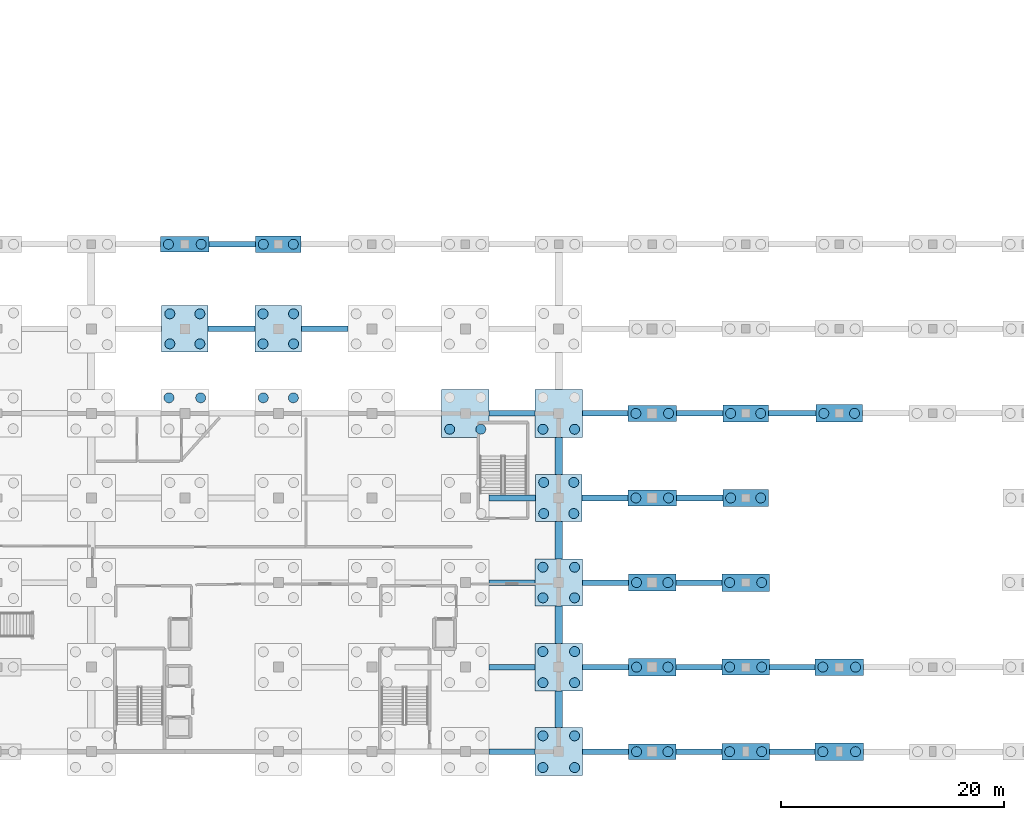
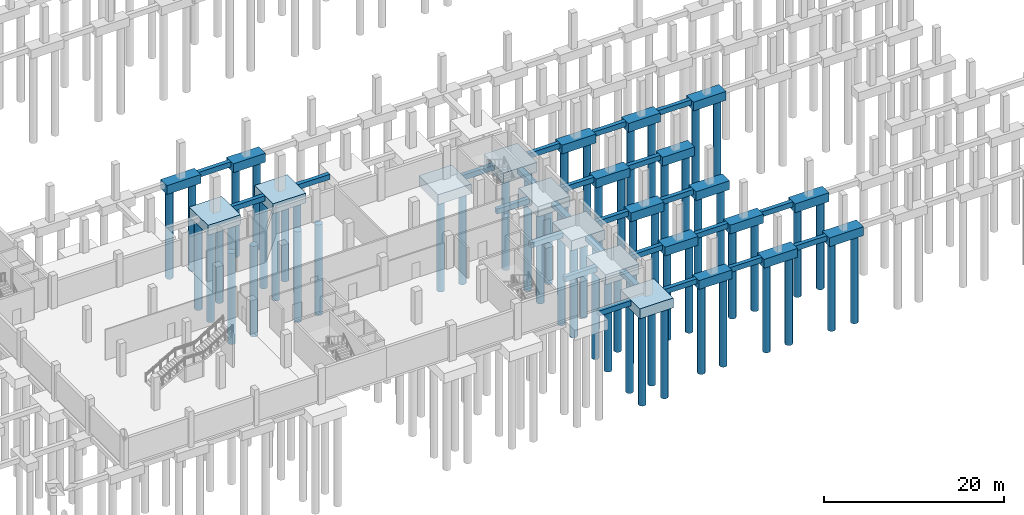
# One storey, part 4 of 22: 62 piles, 48 footings.
"""IFC4 building model written with IfcOpenShell, lengths in metres."""

from ifc_helpers import new_model, si_unit, direction, frame, origin, origin_2d, place, context, subcontext, project, spatial, rectangle, circle, extrude, material, material_profile, profile_set, type_object, element, save


model = new_model("IFC4")

# Units and contexts
model_context = context("Model", 3, precision=1e-05, world=origin(), true_north=direction((0.0, 1.0)))
body_context = subcontext(model_context, "Body", "Model", "MODEL_VIEW")
ifc_project = project(units=[si_unit("LENGTHUNIT", "METRE"), si_unit("AREAUNIT", "SQUARE_METRE"), si_unit("VOLUMEUNIT", "CUBIC_METRE"), si_unit("PLANEANGLEUNIT", "RADIAN"), si_unit("MASSUNIT", "GRAM", prefix="KILO")], contexts=[model_context])

# Site, building, storey
site_placement = place(None, origin())
site = spatial("IfcSite", under=ifc_project, at=site_placement, CompositionType="ELEMENT")
building_placement = place(site_placement, origin())
building = spatial("IfcBuilding", under=site, at=building_placement, Name="Zuvorla Pavilion Media Centre", CompositionType="ELEMENT")
storey_placement = place(building_placement, frame((0.0, 0.0, -4.5)))
storey = spatial("IfcBuildingStorey", under=building, at=storey_placement, Name="B01", CompositionType="ELEMENT", Elevation=-4.5)

# Footings
ifc_material = material(Name="Concrete C40/50", Category="concrete")
footing_type_1 = type_object("IfcFootingType", Name="FT-GB56", PredefinedType="FOOTING_BEAM", material=ifc_material)
footing_1_placement = place(storey_placement, frame((104.58740234375, 6.0, -1.10009765625), z_axis=(0.0, 0.0, 1.0), x_axis=(1.0, 0.0, 0.0)))
element("IfcFooting", 1, at=footing_1_placement, inside=storey, type_object=footing_type_1, Name="Ground beam GB56 10", PredefinedType="FOOTING_BEAM", context=body_context, shape_type="SweptSolid", body=[
    extrude(rectangle(XDim=4.114990234375, YDim=0.5, at=origin_2d()), origin(), (0.0, 0.0, 1.0), 0.699951171875),
])
footing_2_placement = place(storey_placement, frame((113.017578125, 6.0, -1.10009765625), z_axis=(0.0, 0.0, 1.0), x_axis=(1.0, 0.0, 0.0)))
element("IfcFooting", 2, at=footing_2_placement, inside=storey, type_object=footing_type_1, Name="Ground beam GB56 11", PredefinedType="FOOTING_BEAM", context=body_context, shape_type="SweptSolid", body=[
    extrude(rectangle(XDim=4.125, YDim=0.5, at=origin_2d()), origin(), (0.0, 0.0, 1.0), 0.699951171875),
])
footing_3_placement = place(storey_placement, frame((121.385009765625, 6.0, -1.10009765625), z_axis=(0.0, 0.0, 1.0), x_axis=(1.0, 0.0, 0.0)))
element("IfcFooting", 3, at=footing_3_placement, inside=storey, type_object=footing_type_1, Name="Ground beam GB56 12", PredefinedType="FOOTING_BEAM", context=body_context, shape_type="SweptSolid", body=[
    extrude(rectangle(XDim=4.1298828125, YDim=0.5, at=origin_2d()), origin(), (0.0, 0.0, 1.0), 0.699951171875),
])
footing_4_placement = place(storey_placement, frame((129.784912109375, 6.0, -1.10009765625), z_axis=(0.0, 0.0, 1.0), x_axis=(1.0, 0.0, 0.0)))
element("IfcFooting", 4, at=footing_4_placement, inside=storey, type_object=footing_type_1, Name="Ground beam GB56 13", PredefinedType="FOOTING_BEAM", context=body_context, shape_type="SweptSolid", body=[
    extrude(rectangle(XDim=4.070068359375, YDim=0.5, at=origin_2d()), origin(), (0.0, 0.0, 1.0), 0.699951171875),
])
footing_5_placement = place(storey_placement, frame((104.58740234375, 13.60009765625, -1.10009765625), z_axis=(0.0, 0.0, 1.0), x_axis=(1.0, 0.0, 0.0)))
element("IfcFooting", 5, at=footing_5_placement, inside=storey, type_object=footing_type_1, Name="Ground beam GB56 28", PredefinedType="FOOTING_BEAM", context=body_context, shape_type="SweptSolid", body=[
    extrude(rectangle(XDim=4.114990234375, YDim=0.5, at=origin_2d()), origin(), (0.0, 0.0, 1.0), 0.699951171875),
])
footing_6_placement = place(storey_placement, frame((113.017578125, 13.60009765625, -1.10009765625), z_axis=(0.0, 0.0, 1.0), x_axis=(1.0, 0.0, 0.0)))
element("IfcFooting", 6, at=footing_6_placement, inside=storey, type_object=footing_type_1, Name="Ground beam GB56 29", PredefinedType="FOOTING_BEAM", context=body_context, shape_type="SweptSolid", body=[
    extrude(rectangle(XDim=4.125, YDim=0.5, at=origin_2d()), origin(), (0.0, 0.0, 1.0), 0.699951171875),
])
footing_7_placement = place(storey_placement, frame((121.385009765625, 13.60009765625, -1.10009765625), z_axis=(0.0, 0.0, 1.0), x_axis=(1.0, 0.0, 0.0)))
element("IfcFooting", 7, at=footing_7_placement, inside=storey, type_object=footing_type_1, Name="Ground beam GB56 30", PredefinedType="FOOTING_BEAM", context=body_context, shape_type="SweptSolid", body=[
    extrude(rectangle(XDim=4.1298828125, YDim=0.5, at=origin_2d()), origin(), (0.0, 0.0, 1.0), 0.699951171875),
])
footing_8_placement = place(storey_placement, frame((129.784912109375, 13.60009765625, -1.10009765625), z_axis=(0.0, 0.0, 1.0), x_axis=(1.0, 0.0, 0.0)))
element("IfcFooting", 8, at=footing_8_placement, inside=storey, type_object=footing_type_1, Name="Ground beam GB56 31", PredefinedType="FOOTING_BEAM", context=body_context, shape_type="SweptSolid", body=[
    extrude(rectangle(XDim=4.070068359375, YDim=0.5, at=origin_2d()), origin(), (0.0, 0.0, 1.0), 0.699951171875),
])
footing_9_placement = place(storey_placement, frame((104.58740234375, 21.199951171875, -1.10009765625), z_axis=(0.0, 0.0, 1.0), x_axis=(1.0, 0.0, 0.0)))
element("IfcFooting", 9, at=footing_9_placement, inside=storey, type_object=footing_type_1, Name="Ground beam GB56 46", PredefinedType="FOOTING_BEAM", context=body_context, shape_type="SweptSolid", body=[
    extrude(rectangle(XDim=4.114990234375, YDim=0.5, at=origin_2d()), origin(), (0.0, 0.0, 1.0), 0.699951171875),
])
footing_10_placement = place(storey_placement, frame((113.017578125, 21.199951171875, -1.10009765625), z_axis=(0.0, 0.0, 1.0), x_axis=(1.0, 0.0, 0.0)))
element("IfcFooting", 10, at=footing_10_placement, inside=storey, type_object=footing_type_1, Name="Ground beam GB56 47", PredefinedType="FOOTING_BEAM", context=body_context, shape_type="SweptSolid", body=[
    extrude(rectangle(XDim=4.125, YDim=0.5, at=origin_2d()), origin(), (0.0, 0.0, 1.0), 0.699951171875),
])
footing_11_placement = place(storey_placement, frame((121.385009765625, 21.199951171875, -1.10009765625), z_axis=(0.0, 0.0, 1.0), x_axis=(1.0, 0.0, 0.0)))
element("IfcFooting", 11, at=footing_11_placement, inside=storey, type_object=footing_type_1, Name="Ground beam GB56 48", PredefinedType="FOOTING_BEAM", context=body_context, shape_type="SweptSolid", body=[
    extrude(rectangle(XDim=4.1298828125, YDim=0.5, at=origin_2d()), origin(), (0.0, 0.0, 1.0), 0.699951171875),
])
footing_12_placement = place(storey_placement, frame((104.637451171875, 28.800048828125, -1.10009765625), z_axis=(0.0, 0.0, 1.0), x_axis=(1.0, 0.0, 0.0)))
element("IfcFooting", 12, at=footing_12_placement, inside=storey, type_object=footing_type_1, Name="Ground beam GB56 61", PredefinedType="FOOTING_BEAM", context=body_context, shape_type="SweptSolid", body=[
    extrude(rectangle(XDim=4.1650390625, YDim=0.5, at=origin_2d()), origin(), (0.0, 0.0, 1.0), 0.699951171875),
])
footing_13_placement = place(storey_placement, frame((112.949951171875, 28.800048828125, -1.10009765625), z_axis=(0.0, 0.0, 1.0), x_axis=(1.0, 0.0, 0.0)))
element("IfcFooting", 13, at=footing_13_placement, inside=storey, type_object=footing_type_1, Name="Ground beam GB56 62", PredefinedType="FOOTING_BEAM", context=body_context, shape_type="SweptSolid", body=[
    extrude(rectangle(XDim=4.139892578125, YDim=0.5, at=origin_2d()), origin(), (0.0, 0.0, 1.0), 0.699951171875),
])
footing_14_placement = place(storey_placement, frame((121.4599609375, 28.800048828125, -1.10009765625), z_axis=(0.0, 0.0, 1.0), x_axis=(1.0, 0.0, 0.0)))
element("IfcFooting", 14, at=footing_14_placement, inside=storey, type_object=footing_type_1, Name="Ground beam GB56 63", PredefinedType="FOOTING_BEAM", context=body_context, shape_type="SweptSolid", body=[
    extrude(rectangle(XDim=4.159912109375, YDim=0.5, at=origin_2d()), origin(), (0.0, 0.0, 1.0), 0.699951171875),
])
footing_15_placement = place(storey_placement, frame((104.58740234375, 36.39990234375, -1.10009765625), z_axis=(0.0, 0.0, 1.0), x_axis=(1.0, 0.0, 0.0)))
element("IfcFooting", 15, at=footing_15_placement, inside=storey, type_object=footing_type_1, Name="Ground beam GB56 74", PredefinedType="FOOTING_BEAM", context=body_context, shape_type="SweptSolid", body=[
    extrude(rectangle(XDim=4.114990234375, YDim=0.5, at=origin_2d()), origin(), (0.0, 0.0, 1.0), 0.699951171875),
])
footing_16_placement = place(storey_placement, frame((112.987548828125, 36.39990234375, -1.10009765625), z_axis=(0.0, 0.0, 1.0), x_axis=(1.0, 0.0, 0.0)))
element("IfcFooting", 16, at=footing_16_placement, inside=storey, type_object=footing_type_1, Name="Ground beam GB56 75", PredefinedType="FOOTING_BEAM", context=body_context, shape_type="SweptSolid", body=[
    extrude(rectangle(XDim=4.06494140625, YDim=0.5, at=origin_2d()), origin(), (0.0, 0.0, 1.0), 0.699951171875),
])
footing_17_placement = place(storey_placement, frame((121.4599609375, 36.39990234375, -1.10009765625), z_axis=(0.0, 0.0, 1.0), x_axis=(1.0, 0.0, 0.0)))
element("IfcFooting", 17, at=footing_17_placement, inside=storey, type_object=footing_type_1, Name="Ground beam GB56 76", PredefinedType="FOOTING_BEAM", context=body_context, shape_type="SweptSolid", body=[
    extrude(rectangle(XDim=4.159912109375, YDim=0.5, at=origin_2d()), origin(), (0.0, 0.0, 1.0), 0.699951171875),
])
footing_18_placement = place(storey_placement, frame((129.784912109375, 36.39990234375, -1.10009765625), z_axis=(0.0, 0.0, 1.0), x_axis=(1.0, 0.0, 0.0)))
element("IfcFooting", 18, at=footing_18_placement, inside=storey, type_object=footing_type_1, Name="Ground beam GB56 77", PredefinedType="FOOTING_BEAM", context=body_context, shape_type="SweptSolid", body=[
    extrude(rectangle(XDim=4.25, YDim=0.5, at=origin_2d()), origin(), (0.0, 0.0, 1.0), 0.699951171875),
])
footing_19_placement = place(storey_placement, frame((79.387451171875, 44.0, -1.10009765625), z_axis=(0.0, 0.0, 1.0), x_axis=(1.0, 0.0, 0.0)))
element("IfcFooting", 19, at=footing_19_placement, inside=storey, type_object=footing_type_1, Name="Ground beam GB56 87", PredefinedType="FOOTING_BEAM", context=body_context, shape_type="SweptSolid", body=[
    extrude(rectangle(XDim=4.215087890625, YDim=0.5, at=origin_2d()), origin(), (0.0, 0.0, 1.0), 0.699951171875),
])
footing_20_placement = place(storey_placement, frame((87.78759765625, 44.0, -1.10009765625), z_axis=(0.0, 0.0, 1.0), x_axis=(1.0, 0.0, 0.0)))
element("IfcFooting", 20, at=footing_20_placement, inside=storey, type_object=footing_type_1, Name="Ground beam GB56 88", PredefinedType="FOOTING_BEAM", context=body_context, shape_type="SweptSolid", body=[
    extrude(rectangle(XDim=4.1650390625, YDim=0.5, at=origin_2d()), origin(), (0.0, 0.0, 1.0), 0.699951171875),
])
footing_21_placement = place(storey_placement, frame((79.4599609375, 51.60009765625, -1.10009765625), z_axis=(0.0, 0.0, 1.0), x_axis=(1.0, 0.0, 0.0)))
element("IfcFooting", 21, at=footing_21_placement, inside=storey, type_object=footing_type_1, Name="Ground beam GB56 104", PredefinedType="FOOTING_BEAM", context=body_context, shape_type="SweptSolid", body=[
    extrude(rectangle(XDim=4.159912109375, YDim=0.5, at=origin_2d()), origin(), (0.0, 0.0, 1.0), 0.699951171875),
])
footing_type_2 = type_object("IfcFootingType", Name="FT-PC05", PredefinedType="PILE_CAP", material=ifc_material)
footing_22_placement = place(storey_placement, frame((134.0, 13.60009765625, -1.60009765625), z_axis=(0.0, 0.0, 1.0), x_axis=(1.0, 0.0, 0.0)))
element("IfcFooting", 22, at=footing_22_placement, inside=storey, type_object=footing_type_2, Name="Pile cap PC05", PredefinedType="PILE_CAP", context=body_context, shape_type="SweptSolid", body=[
    extrude(rectangle(XDim=4.360107421875, YDim=1.5, at=origin_2d()), origin(), (0.0, 0.0, 1.0), 1.199951171875),
])
footing_type_3 = type_object("IfcFootingType", Name="FT-PC08", PredefinedType="PILE_CAP", material=ifc_material)
footing_23_placement = place(storey_placement, frame((108.800048828125, 13.60009765625, -1.75), z_axis=(0.0, 0.0, 1.0), x_axis=(1.0, 0.0, 0.0)))
element("IfcFooting", 23, at=footing_23_placement, inside=storey, type_object=footing_type_3, Name="Pile cap PC08", PredefinedType="PILE_CAP", context=body_context, shape_type="SweptSolid", body=[
    extrude(rectangle(XDim=4.31005859375, YDim=4.260009765625, at=origin_2d()), origin(), (0.0, 0.0, 1.0), 1.35009765625),
])
footing_type_4 = type_object("IfcFootingType", Name="FT-PC09", PredefinedType="PILE_CAP", material=ifc_material)
footing_24_placement = place(storey_placement, frame((108.800048828125, 28.800048828125, -1.75), z_axis=(0.0, 0.0, 1.0), x_axis=(1.0, 0.0, 0.0)))
element("IfcFooting", 24, at=footing_24_placement, inside=storey, type_object=footing_type_4, Name="Pile cap PC09", PredefinedType="PILE_CAP", context=body_context, shape_type="SweptSolid", body=[
    extrude(rectangle(XDim=4.159912109375, YDim=4.260009765625, at=origin_2d()), origin(), (0.0, 0.0, 1.0), 1.35009765625),
])
footing_type_5 = type_object("IfcFootingType", Name="FT-PC11", PredefinedType="PILE_CAP", material=ifc_material)
footing_25_placement = place(storey_placement, frame((100.39990234375, 36.39990234375, -1.75), z_axis=(0.0, 0.0, 1.0), x_axis=(1.0, 0.0, 0.0)))
element("IfcFooting", 25, at=footing_25_placement, inside=storey, type_object=footing_type_5, Name="Pile cap PC11", PredefinedType="PILE_CAP", context=body_context, shape_type="SweptSolid", body=[
    extrude(rectangle(XDim=4.260009765625, YDim=4.31005859375, at=origin_2d()), origin(), (0.0, 0.0, 1.0), 1.35009765625),
])
footing_type_6 = type_object("IfcFootingType", Name="FT-PC12", PredefinedType="PILE_CAP", material=ifc_material)
for number, where, z_axis, x_axis, name in (
    (26, (108.800048828125, 6.0, -1.75), (0.0, 0.0, 1.0), (1.0, 0.0, 0.0), "Pile cap PC12"),
    (27, (108.800048828125, 36.39990234375, -1.75), (0.0, 0.0, 1.0), (1.0, 0.0, 0.0), "Pile cap PC12"),
):
    element("IfcFooting", number, at=place(storey_placement, frame(where, z_axis=z_axis, x_axis=x_axis)), inside=storey, type_object=footing_type_6, Name=name, PredefinedType="PILE_CAP", context=body_context, shape_type="SweptSolid", body=[
        extrude(rectangle(XDim=4.31005859375, YDim=4.31005859375, at=origin_2d()), origin(), (0.0, 0.0, 1.0), 1.35009765625),
    ])
footing_type_7 = type_object("IfcFootingType", Name="FT-PC13", PredefinedType="PILE_CAP", material=ifc_material)
footing_26_placement = place(storey_placement, frame((117.199951171875, 6.0, -1.60009765625), z_axis=(0.0, 0.0, 1.0), x_axis=(1.0, 0.0, 0.0)))
element("IfcFooting", 28, at=footing_26_placement, inside=storey, type_object=footing_type_7, Name="Pile cap PC13", PredefinedType="PILE_CAP", context=body_context, shape_type="SweptSolid", body=[
    extrude(rectangle(XDim=4.239990234375, YDim=1.419921875, at=origin_2d()), origin(), (0.0, 0.0, 1.0), 1.199951171875),
])
footing_type_8 = type_object("IfcFootingType", Name="FT-PC14", PredefinedType="PILE_CAP", material=ifc_material)
footing_27_placement = place(storey_placement, frame((125.60009765625, 6.0, -1.60009765625), z_axis=(0.0, 0.0, 1.0), x_axis=(1.0, 0.0, 0.0)))
element("IfcFooting", 29, at=footing_27_placement, inside=storey, type_object=footing_type_8, Name="Pile cap PC14", PredefinedType="PILE_CAP", context=body_context, shape_type="SweptSolid", body=[
    extrude(rectangle(XDim=4.300048828125, YDim=1.5, at=origin_2d()), origin(), (0.0, 0.0, 1.0), 1.199951171875),
])
footing_type_9 = type_object("IfcFootingType", Name="FT-PC15", PredefinedType="PILE_CAP", material=ifc_material)
footing_28_placement = place(storey_placement, frame((134.0, 6.0, -1.60009765625), z_axis=(0.0, 0.0, 1.0), x_axis=(1.0, 0.0, 0.0)))
element("IfcFooting", 30, at=footing_28_placement, inside=storey, type_object=footing_type_9, Name="Pile cap PC15", PredefinedType="PILE_CAP", context=body_context, shape_type="SweptSolid", body=[
    extrude(rectangle(XDim=4.360107421875, YDim=1.580078125, at=origin_2d()), origin(), (0.0, 0.0, 1.0), 1.199951171875),
])
footing_type_10 = type_object("IfcFootingType", Name="FT-PC18", PredefinedType="PILE_CAP", material=ifc_material)
footing_29_placement = place(storey_placement, frame((117.199951171875, 13.60009765625, -1.60009765625), z_axis=(0.0, 0.0, 1.0), x_axis=(1.0, 0.0, 0.0)))
element("IfcFooting", 31, at=footing_29_placement, inside=storey, type_object=footing_type_10, Name="Pile cap PC18", PredefinedType="PILE_CAP", context=body_context, shape_type="SweptSolid", body=[
    extrude(rectangle(XDim=4.239990234375, YDim=1.580078125, at=origin_2d()), origin(), (0.0, 0.0, 1.0), 1.199951171875),
])
footing_type_11 = type_object("IfcFootingType", Name="FT-PC23", PredefinedType="PILE_CAP", material=ifc_material)
for number, where, z_axis, x_axis, name in (
    (32, (117.199951171875, 28.800048828125, -1.60009765625), (0.0, 0.0, 1.0), (1.0, 0.0, 0.0), "Pile cap PC23"),
    (33, (117.199951171875, 36.39990234375, -1.60009765625), (0.0, 0.0, 1.0), (1.0, 0.0, 0.0), "Pile cap PC23"),
    (34, (75.199951171875, 51.60009765625, -1.60009765625), (0.0, 0.0, 1.0), (1.0, 0.0, 0.0), "Pile cap PC23"),
):
    element("IfcFooting", number, at=place(storey_placement, frame(where, z_axis=z_axis, x_axis=x_axis)), inside=storey, type_object=footing_type_11, Name=name, PredefinedType="PILE_CAP", context=body_context, shape_type="SweptSolid", body=[
        extrude(rectangle(XDim=4.360107421875, YDim=1.419921875, at=origin_2d()), origin(), (0.0, 0.0, 1.0), 1.199951171875),
    ])
footing_type_12 = type_object("IfcFootingType", Name="FT-PC24", PredefinedType="PILE_CAP", material=ifc_material)
for number, where, z_axis, x_axis, name in (
    (35, (125.60009765625, 28.800048828125, -1.60009765625), (0.0, 0.0, 1.0), (1.0, 0.0, 0.0), "Pile cap PC24"),
    (36, (125.60009765625, 36.39990234375, -1.60009765625), (0.0, 0.0, 1.0), (1.0, 0.0, 0.0), "Pile cap PC24"),
    (37, (83.60009765625, 51.60009765625, -1.60009765625), (0.0, 0.0, 1.0), (1.0, 0.0, 0.0), "Pile cap PC24"),
):
    element("IfcFooting", number, at=place(storey_placement, frame(where, z_axis=z_axis, x_axis=x_axis)), inside=storey, type_object=footing_type_12, Name=name, PredefinedType="PILE_CAP", context=body_context, shape_type="SweptSolid", body=[
        extrude(rectangle(XDim=4.1201171875, YDim=1.5, at=origin_2d()), origin(), (0.0, 0.0, 1.0), 1.199951171875),
    ])
footing_type_13 = type_object("IfcFootingType", Name="FT-PC25", PredefinedType="PILE_CAP", material=ifc_material)
footing_30_placement = place(storey_placement, frame((134.0, 36.39990234375, -1.60009765625), z_axis=(0.0, 0.0, 1.0), x_axis=(1.0, 0.0, 0.0)))
element("IfcFooting", 38, at=footing_30_placement, inside=storey, type_object=footing_type_13, Name="Pile cap PC25", PredefinedType="PILE_CAP", context=body_context, shape_type="SweptSolid", body=[
    extrude(rectangle(XDim=4.179931640625, YDim=1.580078125, at=origin_2d()), origin(), (0.0, 0.0, 1.0), 1.199951171875),
])
footing_type_14 = type_object("IfcFootingType", Name="FT-PC26", PredefinedType="PILE_CAP", material=ifc_material)
footing_31_placement = place(storey_placement, frame((108.800048828125, 21.199951171875, -1.75), z_axis=(0.0, 0.0, 1.0), x_axis=(1.0, 0.0, 0.0)))
element("IfcFooting", 39, at=footing_31_placement, inside=storey, type_object=footing_type_14, Name="Pile cap PC26", PredefinedType="PILE_CAP", context=body_context, shape_type="SweptSolid", body=[
    extrude(rectangle(XDim=4.31005859375, YDim=4.2099609375, at=origin_2d()), origin(), (0.0, 0.0, 1.0), 1.35009765625),
])
footing_type_15 = type_object("IfcFootingType", Name="FT-PC30", PredefinedType="PILE_CAP", material=ifc_material)
footing_32_placement = place(storey_placement, frame((125.60009765625, 13.60009765625, -1.60009765625), z_axis=(0.0, 0.0, 1.0), x_axis=(1.0, 0.0, 0.0)))
element("IfcFooting", 40, at=footing_32_placement, inside=storey, type_object=footing_type_15, Name="Pile cap PC30", PredefinedType="PILE_CAP", context=body_context, shape_type="SweptSolid", body=[
    extrude(rectangle(XDim=4.300048828125, YDim=1.419921875, at=origin_2d()), origin(), (0.0, 0.0, 1.0), 1.199951171875),
])
footing_type_16 = type_object("IfcFootingType", Name="FT-PC31", PredefinedType="PILE_CAP", material=ifc_material)
footing_33_placement = place(storey_placement, frame((117.199951171875, 21.199951171875, -1.60009765625), z_axis=(0.0, 0.0, 1.0), x_axis=(1.0, 0.0, 0.0)))
element("IfcFooting", 41, at=footing_33_placement, inside=storey, type_object=footing_type_16, Name="Pile cap PC31", PredefinedType="PILE_CAP", context=body_context, shape_type="SweptSolid", body=[
    extrude(rectangle(XDim=4.239990234375, YDim=1.5, at=origin_2d()), origin(), (0.0, 0.0, 1.0), 1.199951171875),
])
footing_type_17 = type_object("IfcFootingType", Name="FT-PC34", PredefinedType="PILE_CAP", material=ifc_material)
footing_34_placement = place(storey_placement, frame((75.199951171875, 44.0, -1.75), z_axis=(0.0, 0.0, 1.0), x_axis=(1.0, 0.0, 0.0)))
element("IfcFooting", 42, at=footing_34_placement, inside=storey, type_object=footing_type_17, Name="Pile cap PC34", PredefinedType="PILE_CAP", context=body_context, shape_type="SweptSolid", body=[
    extrude(rectangle(XDim=4.159912109375, YDim=4.159912109375, at=origin_2d()), origin(), (0.0, 0.0, 1.0), 1.35009765625),
])
footing_type_18 = type_object("IfcFootingType", Name="FT-PC35", PredefinedType="PILE_CAP", material=ifc_material)
footing_35_placement = place(storey_placement, frame((83.60009765625, 44.0, -1.75), z_axis=(0.0, 0.0, 1.0), x_axis=(1.0, 0.0, 0.0)))
element("IfcFooting", 43, at=footing_35_placement, inside=storey, type_object=footing_type_18, Name="Pile cap PC35", PredefinedType="PILE_CAP", context=body_context, shape_type="SweptSolid", body=[
    extrude(rectangle(XDim=4.2099609375, YDim=4.159912109375, at=origin_2d()), origin(), (0.0, 0.0, 1.0), 1.35009765625),
])
footing_type_19 = type_object("IfcFootingType", Name="FT-PC37", PredefinedType="PILE_CAP", material=ifc_material)
footing_36_placement = place(storey_placement, frame((125.60009765625, 21.199951171875, -1.60009765625), z_axis=(0.0, 0.0, 1.0), x_axis=(1.0, 0.0, 0.0)))
element("IfcFooting", 44, at=footing_36_placement, inside=storey, type_object=footing_type_19, Name="Pile cap PC37", PredefinedType="PILE_CAP", context=body_context, shape_type="SweptSolid", body=[
    extrude(rectangle(XDim=4.300048828125, YDim=1.580078125, at=origin_2d()), origin(), (0.0, 0.0, 1.0), 1.199951171875),
])
footing_type_20 = type_object("IfcFootingType", Name="FT-SF57", PredefinedType="STRIP_FOOTING", material=ifc_material)
footing_37_placement = place(storey_placement, frame((108.800048828125, 9.8125, -1.0), z_axis=(0.0, 0.0, 1.0), x_axis=(0.0, 1.0, 0.0)))
element("IfcFooting", 45, at=footing_37_placement, inside=storey, type_object=footing_type_20, Name="Strip footing SF57 38", PredefinedType="STRIP_FOOTING", context=body_context, shape_type="SweptSolid", body=[
    extrude(rectangle(XDim=3.31494140625, YDim=0.64990234375, at=origin_2d()), origin(), (0.0, 0.0, 1.0), 0.60009765625),
])
for number, where, z_axis, x_axis, name in (
    (46, (108.800048828125, 17.41259765625, -1.0), (0.0, 0.0, 1.0), (0.0, 1.0, 0.0), "Strip footing SF57 39"),
    (47, (108.800048828125, 24.987548828125, -1.0), (0.0, 0.0, 1.0), (0.0, 1.0, 0.0), "Strip footing SF57 40"),
):
    element("IfcFooting", number, at=place(storey_placement, frame(where, z_axis=z_axis, x_axis=x_axis)), inside=storey, type_object=footing_type_20, Name=name, PredefinedType="STRIP_FOOTING", context=body_context, shape_type="SweptSolid", body=[
        extrude(rectangle(XDim=3.364990234375, YDim=0.64990234375, at=origin_2d()), origin(), (0.0, 0.0, 1.0), 0.60009765625),
    ])
footing_38_placement = place(storey_placement, frame((108.800048828125, 32.58740234375, -1.0), z_axis=(0.0, 0.0, 1.0), x_axis=(0.0, 1.0, 0.0)))
element("IfcFooting", 48, at=footing_38_placement, inside=storey, type_object=footing_type_20, Name="Strip footing SF57 41", PredefinedType="STRIP_FOOTING", context=body_context, shape_type="SweptSolid", body=[
    extrude(rectangle(XDim=3.31494140625, YDim=0.64990234375, at=origin_2d()), origin(), (0.0, 0.0, 1.0), 0.60009765625),
])

# Piles
ifc_material_profile = material_profile(ifc_material, circle(Radius=0.449951171875, at=origin_2d()), Name="BORED PILE 900")
ifc_profile_set = profile_set([ifc_material_profile], Name="Concrete C40/50")
pile_type = type_object("IfcPileType", Name="PIL-D900", PredefinedType="BORED", material=ifc_profile_set)
for number, where, z_axis, x_axis, name in (
    (49, (107.375, 4.574951171875, -1.64990234375), (0.0, 0.0, -1.0), (1.0, 0.0, 0.0), "Bored pile P90 27"),
    (50, (110.22509765625, 4.574951171875, -1.64990234375), (0.0, 0.0, -1.0), (1.0, 0.0, 0.0), "Bored pile P90 28"),
    (51, (107.375, 7.425048828125, -1.64990234375), (0.0, 0.0, -1.0), (1.0, 0.0, 0.0), "Bored pile P90 29"),
    (52, (110.22509765625, 7.425048828125, -1.64990234375), (0.0, 0.0, -1.0), (1.0, 0.0, 0.0), "Bored pile P90 30"),
):
    element("IfcPile", number, at=place(storey_placement, frame(where, z_axis=z_axis, x_axis=x_axis)), inside=storey, type_object=pile_type, Name=name, PredefinedType="BORED", context=body_context, shape_type="SweptSolid", body=[
        extrude(circle(Radius=0.449951171875, at=origin_2d()), origin(), (0.0, 0.0, 1.0), 12.35009765625),
    ])
for number, where, z_axis, x_axis, name in (
    (53, (115.7900390625, 6.0, -1.5), (0.0, 0.0, -1.0), (1.0, 0.0, 0.0), "Bored pile P90 31"),
    (54, (118.610107421875, 6.0, -1.5), (0.0, 0.0, -1.0), (1.0, 0.0, 0.0), "Bored pile P90 32"),
    (55, (124.159912109375, 6.0, -1.5), (0.0, 0.0, -1.0), (1.0, 0.0, 0.0), "Bored pile P90 33"),
    (56, (127.0400390625, 6.0, -1.5), (0.0, 0.0, -1.0), (1.0, 0.0, 0.0), "Bored pile P90 34"),
    (57, (132.530029296875, 6.0, -1.5), (0.0, 0.0, -1.0), (1.0, 0.0, 0.0), "Bored pile P90 35"),
    (58, (135.469970703125, 6.0, -1.5), (0.0, 0.0, -1.0), (1.0, 0.0, 0.0), "Bored pile P90 36"),
):
    element("IfcPile", number, at=place(storey_placement, frame(where, z_axis=z_axis, x_axis=x_axis)), inside=storey, type_object=pile_type, Name=name, PredefinedType="BORED", context=body_context, shape_type="SweptSolid", body=[
        extrude(circle(Radius=0.449951171875, at=origin_2d()), origin(), (0.0, 0.0, 1.0), 12.0),
    ])
for number, where, z_axis, x_axis, name in (
    (59, (107.375, 12.199951171875, -1.64990234375), (0.0, 0.0, -1.0), (1.0, 0.0, 0.0), "Bored pile P90 69"),
    (60, (110.22509765625, 12.199951171875, -1.64990234375), (0.0, 0.0, -1.0), (1.0, 0.0, 0.0), "Bored pile P90 70"),
    (61, (107.375, 15.0, -1.64990234375), (0.0, 0.0, -1.0), (1.0, 0.0, 0.0), "Bored pile P90 71"),
    (62, (110.22509765625, 15.0, -1.64990234375), (0.0, 0.0, -1.0), (1.0, 0.0, 0.0), "Bored pile P90 72"),
):
    element("IfcPile", number, at=place(storey_placement, frame(where, z_axis=z_axis, x_axis=x_axis)), inside=storey, type_object=pile_type, Name=name, PredefinedType="BORED", context=body_context, shape_type="SweptSolid", body=[
        extrude(circle(Radius=0.449951171875, at=origin_2d()), origin(), (0.0, 0.0, 1.0), 12.35009765625),
    ])
for number, where, z_axis, x_axis, name in (
    (63, (115.7900390625, 13.60009765625, -1.5), (0.0, 0.0, -1.0), (1.0, 0.0, 0.0), "Bored pile P90 73"),
    (64, (118.610107421875, 13.60009765625, -1.5), (0.0, 0.0, -1.0), (1.0, 0.0, 0.0), "Bored pile P90 74"),
    (65, (124.159912109375, 13.60009765625, -1.5), (0.0, 0.0, -1.0), (1.0, 0.0, 0.0), "Bored pile P90 75"),
    (66, (127.0400390625, 13.60009765625, -1.5), (0.0, 0.0, -1.0), (1.0, 0.0, 0.0), "Bored pile P90 76"),
    (67, (132.530029296875, 13.60009765625, -1.5), (0.0, 0.0, -1.0), (1.0, 0.0, 0.0), "Bored pile P90 77"),
    (68, (135.469970703125, 13.60009765625, -1.5), (0.0, 0.0, -1.0), (1.0, 0.0, 0.0), "Bored pile P90 78"),
):
    element("IfcPile", number, at=place(storey_placement, frame(where, z_axis=z_axis, x_axis=x_axis)), inside=storey, type_object=pile_type, Name=name, PredefinedType="BORED", context=body_context, shape_type="SweptSolid", body=[
        extrude(circle(Radius=0.449951171875, at=origin_2d()), origin(), (0.0, 0.0, 1.0), 12.0),
    ])
for number, where, z_axis, x_axis, name in (
    (69, (107.375, 19.824951171875, -1.64990234375), (0.0, 0.0, -1.0), (1.0, 0.0, 0.0), "Bored pile P90 117"),
    (70, (110.22509765625, 19.824951171875, -1.64990234375), (0.0, 0.0, -1.0), (1.0, 0.0, 0.0), "Bored pile P90 118"),
    (71, (107.375, 22.574951171875, -1.64990234375), (0.0, 0.0, -1.0), (1.0, 0.0, 0.0), "Bored pile P90 119"),
    (72, (110.22509765625, 22.574951171875, -1.64990234375), (0.0, 0.0, -1.0), (1.0, 0.0, 0.0), "Bored pile P90 120"),
):
    element("IfcPile", number, at=place(storey_placement, frame(where, z_axis=z_axis, x_axis=x_axis)), inside=storey, type_object=pile_type, Name=name, PredefinedType="BORED", context=body_context, shape_type="SweptSolid", body=[
        extrude(circle(Radius=0.449951171875, at=origin_2d()), origin(), (0.0, 0.0, 1.0), 12.35009765625),
    ])
for number, where, z_axis, x_axis, name in (
    (73, (115.7900390625, 21.199951171875, -1.5), (0.0, 0.0, -1.0), (1.0, 0.0, 0.0), "Bored pile P90 121"),
    (74, (118.610107421875, 21.199951171875, -1.5), (0.0, 0.0, -1.0), (1.0, 0.0, 0.0), "Bored pile P90 122"),
    (75, (124.159912109375, 21.199951171875, -1.5), (0.0, 0.0, -1.0), (1.0, 0.0, 0.0), "Bored pile P90 123"),
    (76, (127.0400390625, 21.199951171875, -1.5), (0.0, 0.0, -1.0), (1.0, 0.0, 0.0), "Bored pile P90 124"),
):
    element("IfcPile", number, at=place(storey_placement, frame(where, z_axis=z_axis, x_axis=x_axis)), inside=storey, type_object=pile_type, Name=name, PredefinedType="BORED", context=body_context, shape_type="SweptSolid", body=[
        extrude(circle(Radius=0.449951171875, at=origin_2d()), origin(), (0.0, 0.0, 1.0), 12.0),
    ])
for number, where, z_axis, x_axis, name in (
    (77, (107.449951171875, 27.39990234375, -1.64990234375), (0.0, 0.0, -1.0), (1.0, 0.0, 0.0), "Bored pile P90 165"),
    (78, (110.14990234375, 27.39990234375, -1.64990234375), (0.0, 0.0, -1.0), (1.0, 0.0, 0.0), "Bored pile P90 166"),
    (79, (107.449951171875, 30.199951171875, -1.64990234375), (0.0, 0.0, -1.0), (1.0, 0.0, 0.0), "Bored pile P90 167"),
    (80, (110.14990234375, 30.199951171875, -1.64990234375), (0.0, 0.0, -1.0), (1.0, 0.0, 0.0), "Bored pile P90 168"),
):
    element("IfcPile", number, at=place(storey_placement, frame(where, z_axis=z_axis, x_axis=x_axis)), inside=storey, type_object=pile_type, Name=name, PredefinedType="BORED", context=body_context, shape_type="SweptSolid", body=[
        extrude(circle(Radius=0.449951171875, at=origin_2d()), origin(), (0.0, 0.0, 1.0), 12.35009765625),
    ])
for number, where, z_axis, x_axis, name in (
    (81, (115.72998046875, 28.800048828125, -1.5), (0.0, 0.0, -1.0), (1.0, 0.0, 0.0), "Bored pile P90 169"),
    (82, (118.669921875, 28.800048828125, -1.5), (0.0, 0.0, -1.0), (1.0, 0.0, 0.0), "Bored pile P90 170"),
    (83, (124.25, 28.800048828125, -1.5), (0.0, 0.0, -1.0), (1.0, 0.0, 0.0), "Bored pile P90 171"),
    (84, (126.949951171875, 28.800048828125, -1.5), (0.0, 0.0, -1.0), (1.0, 0.0, 0.0), "Bored pile P90 172"),
):
    element("IfcPile", number, at=place(storey_placement, frame(where, z_axis=z_axis, x_axis=x_axis)), inside=storey, type_object=pile_type, Name=name, PredefinedType="BORED", context=body_context, shape_type="SweptSolid", body=[
        extrude(circle(Radius=0.449951171875, at=origin_2d()), origin(), (0.0, 0.0, 1.0), 12.0),
    ])
for number, where, z_axis, x_axis, name in (
    (85, (73.77490234375, 37.800048828125, -1.64990234375), (0.0, 0.0, -1.0), (1.0, 0.0, 0.0), "Bored pile P90 199"),
    (86, (76.625, 37.800048828125, -1.64990234375), (0.0, 0.0, -1.0), (1.0, 0.0, 0.0), "Bored pile P90 200"),
    (87, (82.25, 37.800048828125, -1.64990234375), (0.0, 0.0, -1.0), (1.0, 0.0, 0.0), "Bored pile P90 203"),
    (88, (84.949951171875, 37.800048828125, -1.64990234375), (0.0, 0.0, -1.0), (1.0, 0.0, 0.0), "Bored pile P90 204"),
    (89, (99.0, 34.97509765625, -1.64990234375), (0.0, 0.0, -1.0), (1.0, 0.0, 0.0), "Bored pile P90 209"),
    (90, (101.800048828125, 34.97509765625, -1.64990234375), (0.0, 0.0, -1.0), (1.0, 0.0, 0.0), "Bored pile P90 210"),
    (91, (107.375, 34.97509765625, -1.64990234375), (0.0, 0.0, -1.0), (1.0, 0.0, 0.0), "Bored pile P90 213"),
    (92, (110.22509765625, 34.97509765625, -1.64990234375), (0.0, 0.0, -1.0), (1.0, 0.0, 0.0), "Bored pile P90 214"),
):
    element("IfcPile", number, at=place(storey_placement, frame(where, z_axis=z_axis, x_axis=x_axis)), inside=storey, type_object=pile_type, Name=name, PredefinedType="BORED", context=body_context, shape_type="SweptSolid", body=[
        extrude(circle(Radius=0.449951171875, at=origin_2d()), origin(), (0.0, 0.0, 1.0), 12.35009765625),
    ])
for number, where, z_axis, x_axis, name in (
    (93, (115.72998046875, 36.39990234375, -1.5), (0.0, 0.0, -1.0), (1.0, 0.0, 0.0), "Bored pile P90 217"),
    (94, (118.669921875, 36.39990234375, -1.5), (0.0, 0.0, -1.0), (1.0, 0.0, 0.0), "Bored pile P90 218"),
    (95, (124.25, 36.39990234375, -1.5), (0.0, 0.0, -1.0), (1.0, 0.0, 0.0), "Bored pile P90 219"),
    (96, (126.949951171875, 36.39990234375, -1.5), (0.0, 0.0, -1.0), (1.0, 0.0, 0.0), "Bored pile P90 220"),
    (97, (132.6201171875, 36.39990234375, -1.5), (0.0, 0.0, -1.0), (1.0, 0.0, 0.0), "Bored pile P90 221"),
    (98, (135.3798828125, 36.39990234375, -1.5), (0.0, 0.0, -1.0), (1.0, 0.0, 0.0), "Bored pile P90 222"),
):
    element("IfcPile", number, at=place(storey_placement, frame(where, z_axis=z_axis, x_axis=x_axis)), inside=storey, type_object=pile_type, Name=name, PredefinedType="BORED", context=body_context, shape_type="SweptSolid", body=[
        extrude(circle(Radius=0.449951171875, at=origin_2d()), origin(), (0.0, 0.0, 1.0), 12.0),
    ])
for number, where, z_axis, x_axis, name in (
    (99, (73.85009765625, 42.64990234375, -1.64990234375), (0.0, 0.0, -1.0), (1.0, 0.0, 0.0), "Bored pile P90 249"),
    (100, (76.550048828125, 42.64990234375, -1.64990234375), (0.0, 0.0, -1.0), (1.0, 0.0, 0.0), "Bored pile P90 250"),
    (101, (73.85009765625, 45.35009765625, -1.64990234375), (0.0, 0.0, -1.0), (1.0, 0.0, 0.0), "Bored pile P90 251"),
    (102, (76.550048828125, 45.35009765625, -1.64990234375), (0.0, 0.0, -1.0), (1.0, 0.0, 0.0), "Bored pile P90 252"),
    (103, (82.22509765625, 42.64990234375, -1.64990234375), (0.0, 0.0, -1.0), (1.0, 0.0, 0.0), "Bored pile P90 253"),
    (104, (84.97509765625, 42.64990234375, -1.64990234375), (0.0, 0.0, -1.0), (1.0, 0.0, 0.0), "Bored pile P90 254"),
    (105, (82.22509765625, 45.35009765625, -1.64990234375), (0.0, 0.0, -1.0), (1.0, 0.0, 0.0), "Bored pile P90 255"),
    (106, (84.97509765625, 45.35009765625, -1.64990234375), (0.0, 0.0, -1.0), (1.0, 0.0, 0.0), "Bored pile P90 256"),
):
    element("IfcPile", number, at=place(storey_placement, frame(where, z_axis=z_axis, x_axis=x_axis)), inside=storey, type_object=pile_type, Name=name, PredefinedType="BORED", context=body_context, shape_type="SweptSolid", body=[
        extrude(circle(Radius=0.449951171875, at=origin_2d()), origin(), (0.0, 0.0, 1.0), 12.35009765625),
    ])
for number, where, z_axis, x_axis, name in (
    (107, (73.72998046875, 51.60009765625, -1.5), (0.0, 0.0, -1.0), (1.0, 0.0, 0.0), "Bored pile P90 295"),
    (108, (76.669921875, 51.60009765625, -1.5), (0.0, 0.0, -1.0), (1.0, 0.0, 0.0), "Bored pile P90 296"),
    (109, (82.25, 51.60009765625, -1.5), (0.0, 0.0, -1.0), (1.0, 0.0, 0.0), "Bored pile P90 297"),
    (110, (84.949951171875, 51.60009765625, -1.5), (0.0, 0.0, -1.0), (1.0, 0.0, 0.0), "Bored pile P90 298"),
):
    element("IfcPile", number, at=place(storey_placement, frame(where, z_axis=z_axis, x_axis=x_axis)), inside=storey, type_object=pile_type, Name=name, PredefinedType="BORED", context=body_context, shape_type="SweptSolid", body=[
        extrude(circle(Radius=0.449951171875, at=origin_2d()), origin(), (0.0, 0.0, 1.0), 12.0),
    ])

save(model, "model.ifc")
